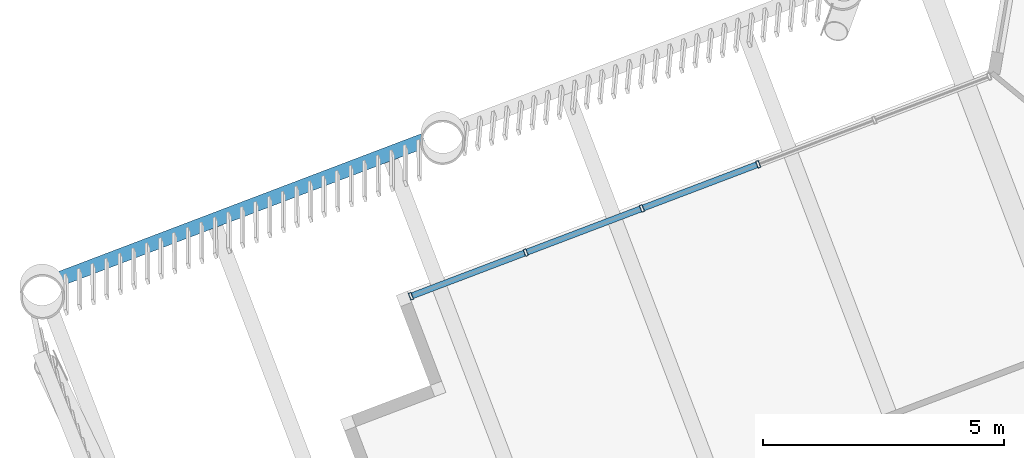
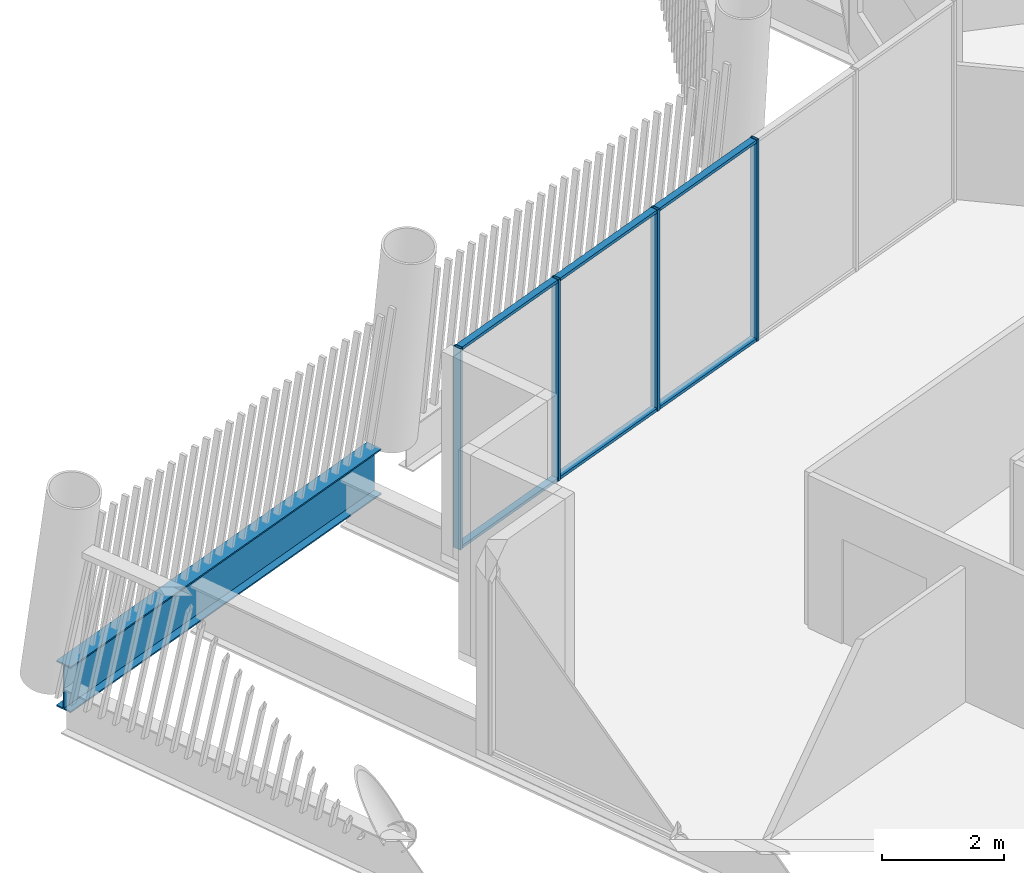
# One storey, part 12 of 33: 10 members, 1 beam, 1 element without a shape of its own.
"""IFC4 building model written with IfcOpenShell, lengths in metres."""

from ifc_helpers import new_model, si_unit, direction, frame, origin, origin_2d, place, context, subcontext, project, spatial, hollow_rectangle, i_section, extrude, material, layer, layer_set, material_profile, profile_set, type_object, element, aggregate, save


model = new_model("IFC4")

# Units and contexts
model_context = context("Model", 3, precision=1e-05, world=origin(), true_north=direction((0.0, 1.0)))
body_context = subcontext(model_context, "Body", "Model", "MODEL_VIEW")
ifc_project = project(units=[si_unit("LENGTHUNIT", "METRE"), si_unit("AREAUNIT", "SQUARE_METRE"), si_unit("VOLUMEUNIT", "CUBIC_METRE"), si_unit("PLANEANGLEUNIT", "RADIAN"), si_unit("MASSUNIT", "GRAM", prefix="KILO")], contexts=[model_context])

# Site, building, storey
site_placement = place(None, origin())
site = spatial("IfcSite", under=ifc_project, at=site_placement, CompositionType="ELEMENT")
building_placement = place(site_placement, origin())
building = spatial("IfcBuilding", under=site, at=building_placement, Name="Tarsis Ring Headquarters", CompositionType="ELEMENT")
storey_placement = place(building_placement, frame((0.0, 0.0, 369.199951171875)))
storey = spatial("IfcBuildingStorey", under=building, at=storey_placement, Name="L87", CompositionType="ELEMENT", Elevation=369.199951171875)

# Curtain wall, members
ifc_material_1 = material(Name="Aluminium curtain wall", Category="aluminium")
ifc_layer = layer(ifc_material_1, 0.14990234375)
ifc_layer_set = layer_set([ifc_layer], Name="Curtain wall tower unit")
curtain_wall_type = type_object("IfcCurtainWallType", Name="Curtain wall tower unit", PredefinedType="NOTDEFINED", material=ifc_layer_set)
curtain_wall_placement = place(storey_placement, origin())
curtain_wall = element("IfcCurtainWall", 1, at=curtain_wall_placement, inside=storey, type_object=curtain_wall_type, Name="Curtain wall L87-31", PredefinedType="NOTDEFINED")
ifc_material_2 = material(Name="Aluminium mullion", Category="aluminium")
ifc_material_profile_1 = material_profile(ifc_material_2, hollow_rectangle(XDim=0.14990234375, YDim=0.06005859375, WallThickness=0.0048828125, at=origin_2d()), Name="RHS 150x60x5")
ifc_profile_set_1 = profile_set([ifc_material_profile_1], Name="Aluminium mullion")
member_type_1 = type_object("IfcMemberType", Name="Curtain wall mullion tower unit RHS 150x60x5", PredefinedType="MULLION", material=ifc_profile_set_1)
member_1_placement = place(storey_placement, frame((-30.400634765625, 1.15478515625, 0.0), z_axis=(0.0, 0.0, 1.0), x_axis=(0.355106944477, -0.934825683207, 0.0)))
member_1 = element("IfcMember", 2, at=member_1_placement, type_object=member_type_1, Name="CW-T mullion 3", PredefinedType="MULLION", context=body_context, shape_type="SweptSolid", body=[
    extrude(hollow_rectangle(XDim=0.14990234375, YDim=0.06005859375, WallThickness=0.0048828125, at=origin_2d()), origin(), (0.0, 0.0, 1.0), 4.0400390625),
])
member_2_placement = place(storey_placement, frame((-32.812744140625, 0.238525390625, 0.0), z_axis=(0.0, 0.0, 1.0), x_axis=(0.355106944477, -0.934825683207, 0.0)))
member_2 = element("IfcMember", 3, at=member_2_placement, type_object=member_type_1, Name="CW-T mullion 4", PredefinedType="MULLION", context=body_context, shape_type="SweptSolid", body=[
    extrude(hollow_rectangle(XDim=0.14990234375, YDim=0.06005859375, WallThickness=0.0048828125, at=origin_2d()), origin(), (0.0, 0.0, 1.0), 4.0400390625),
])
member_3_placement = place(storey_placement, frame((-35.224853515625, -0.677734375, 0.0), z_axis=(0.0, 0.0, 1.0), x_axis=(0.355106944477, -0.934825683207, 0.0)))
member_3 = element("IfcMember", 4, at=member_3_placement, type_object=member_type_1, Name="CW-T mullion 5", PredefinedType="MULLION", context=body_context, shape_type="SweptSolid", body=[
    extrude(hollow_rectangle(XDim=0.14990234375, YDim=0.06005859375, WallThickness=0.0048828125, at=origin_2d()), origin(), (0.0, 0.0, 1.0), 4.0400390625),
])
member_4_placement = place(storey_placement, frame((-37.60888671875, -1.583251953125, 0.0), z_axis=(0.0, 0.0, 1.0), x_axis=(0.355106944477, -0.934825683207, 0.0)))
member_4 = element("IfcMember", 5, at=member_4_placement, type_object=member_type_1, Name="CW-T mullion 6", PredefinedType="MULLION", context=body_context, shape_type="SweptSolid", body=[
    extrude(hollow_rectangle(XDim=0.14990234375, YDim=0.06005859375, WallThickness=0.0048828125, at=origin_2d()), origin(), (0.0, 0.0, 1.0), 4.0400390625),
])
ifc_material_3 = material(Name="Aluminium transom", Category="aluminium")
ifc_material_profile_2 = material_profile(ifc_material_3, hollow_rectangle(XDim=0.1298828125, YDim=0.06005859375, WallThickness=0.0048828125, at=origin_2d()), Name="RHS 130x60x5")
ifc_profile_set_2 = profile_set([ifc_material_profile_2], Name="Aluminium transom")
member_type_2 = type_object("IfcMemberType", Name="Curtain wall transom tower unit RHS 130x60x5", PredefinedType="USERDEFINED", material=ifc_profile_set_2)
member_5_placement = place(storey_placement, frame((-30.4287109375, 1.14404296875, 0.030029296875), z_axis=(-0.934847900565, -0.355048451354, 0.0), x_axis=(0.355048451354, -0.934847900565, 0.0)))
member_5 = element("IfcMember", 6, at=member_5_placement, type_object=member_type_2, Name="CW-T transom 3.1", ObjectType="TRANSOM", PredefinedType="USERDEFINED", context=body_context, shape_type="SweptSolid", body=[
    extrude(hollow_rectangle(XDim=0.1298828125, YDim=0.06005859375, WallThickness=0.0048828125, at=origin_2d()), origin(), (0.0, 0.0, 1.0), 2.520263671875),
])
member_6_placement = place(storey_placement, frame((-30.4287109375, 1.14404296875, 4.010009765625), z_axis=(-0.934847900565, -0.355048451354, 0.0), x_axis=(0.355048451354, -0.934847900565, 0.0)))
member_6 = element("IfcMember", 7, at=member_6_placement, type_object=member_type_2, Name="CW-T transom 3.2", ObjectType="TRANSOM", PredefinedType="USERDEFINED", context=body_context, shape_type="SweptSolid", body=[
    extrude(hollow_rectangle(XDim=0.1298828125, YDim=0.06005859375, WallThickness=0.0048828125, at=origin_2d()), origin(), (0.0, 0.0, 1.0), 2.520263671875),
])
member_7_placement = place(storey_placement, frame((-32.8408203125, 0.227783203125, 0.030029296875), z_axis=(-0.934847900565, -0.355048451354, 0.0), x_axis=(0.355048451354, -0.934847900565, 0.0)))
member_7 = element("IfcMember", 8, at=member_7_placement, type_object=member_type_2, Name="CW-T transom 4.1", ObjectType="TRANSOM", PredefinedType="USERDEFINED", context=body_context, shape_type="SweptSolid", body=[
    extrude(hollow_rectangle(XDim=0.1298828125, YDim=0.06005859375, WallThickness=0.0048828125, at=origin_2d()), origin(), (0.0, 0.0, 1.0), 2.520263671875),
])
member_8_placement = place(storey_placement, frame((-32.8408203125, 0.227783203125, 4.010009765625), z_axis=(-0.934847900565, -0.355048451354, 0.0), x_axis=(0.355048451354, -0.934847900565, 0.0)))
member_8 = element("IfcMember", 9, at=member_8_placement, type_object=member_type_2, Name="CW-T transom 4.2", ObjectType="TRANSOM", PredefinedType="USERDEFINED", context=body_context, shape_type="SweptSolid", body=[
    extrude(hollow_rectangle(XDim=0.1298828125, YDim=0.06005859375, WallThickness=0.0048828125, at=origin_2d()), origin(), (0.0, 0.0, 1.0), 2.520263671875),
])
member_9_placement = place(storey_placement, frame((-35.2529296875, -0.6884765625, 0.030029296875), z_axis=(-0.934825895267, -0.355106386225, 0.0), x_axis=(0.355106386225, -0.934825895267, 0.0)))
member_9 = element("IfcMember", 10, at=member_9_placement, type_object=member_type_2, Name="CW-T transom 5.1", ObjectType="TRANSOM", PredefinedType="USERDEFINED", context=body_context, shape_type="SweptSolid", body=[
    extrude(hollow_rectangle(XDim=0.1298828125, YDim=0.06005859375, WallThickness=0.0048828125, at=origin_2d()), origin(), (0.0, 0.0, 1.0), 2.490234375),
])
member_10_placement = place(storey_placement, frame((-35.2529296875, -0.6884765625, 4.010009765625), z_axis=(-0.934825895267, -0.355106386225, 0.0), x_axis=(0.355106386225, -0.934825895267, 0.0)))
member_10 = element("IfcMember", 11, at=member_10_placement, type_object=member_type_2, Name="CW-T transom 5.2", ObjectType="TRANSOM", PredefinedType="USERDEFINED", context=body_context, shape_type="SweptSolid", body=[
    extrude(hollow_rectangle(XDim=0.1298828125, YDim=0.06005859375, WallThickness=0.0048828125, at=origin_2d()), origin(), (0.0, 0.0, 1.0), 2.490234375),
])
aggregate(curtain_wall, [member_1, member_2, member_3, member_4, member_5, member_6, member_7, member_8, member_9, member_10])

# Beam
ifc_material_4 = material(Name="Structural steel S355", Category="steel")
ifc_material_profile_3 = material_profile(ifc_material_4, i_section(OverallWidth=0.3046875, OverallDepth=0.91943359375, WebThickness=0.017333984375, FlangeThickness=0.02783203125, at=origin_2d()), Name="W36x170")
ifc_profile_set_3 = profile_set([ifc_material_profile_3], Name="Structural steel S355")
beam_type = type_object("IfcBeamType", Name="XG Ring girder W36x170", PredefinedType="BEAM", material=ifc_profile_set_3)
beam_placement = place(storey_placement, frame((-37.328857421875, 1.65185546875, -0.459716796875), z_axis=(-0.934826721149, -0.355104212065, 0.0), x_axis=(0.355104212065, -0.934826721149, 0.0)))
element("IfcBeam", 12, at=beam_placement, inside=storey, type_object=beam_type, Name="Ring girder XG4", PredefinedType="BEAM", context=body_context, shape_type="SweptSolid", body=[
    extrude(i_section(OverallWidth=0.3046875, OverallDepth=0.91943359375, WebThickness=0.017333984375, FlangeThickness=0.02783203125, at=origin_2d()), origin(), (0.0, 0.0, 1.0), 8.0791015625),
])

save(model, "model.ifc")
